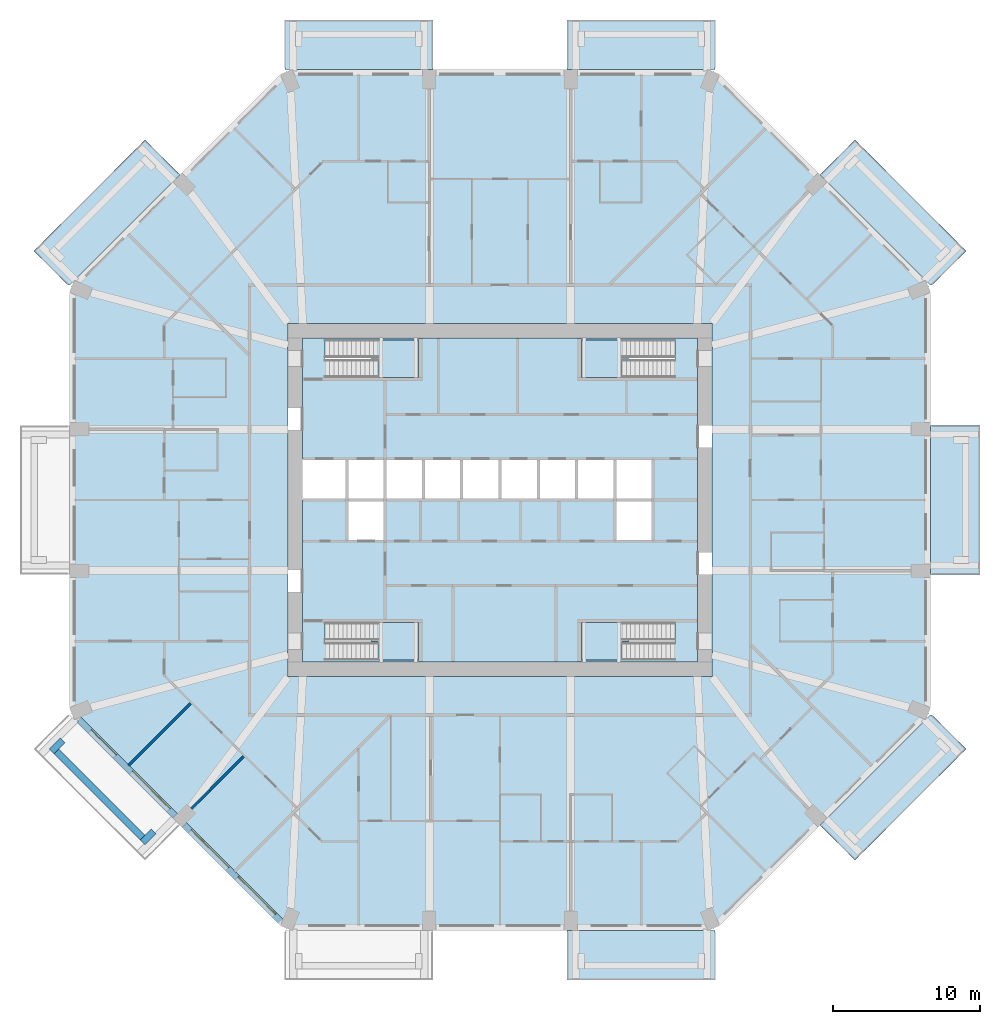
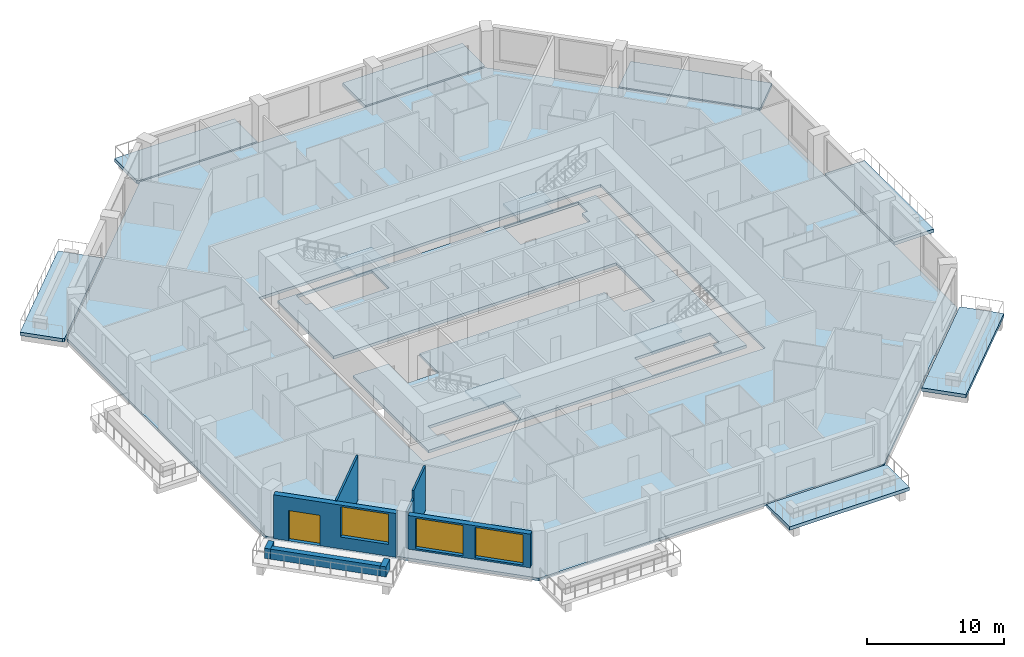
# One storey, part 2 of 13: 13 slabs, 8 walls, 3 windows, 1 door, 4 openings, 4 elements without a shape of their own.
"""IFC4 building model written with IfcOpenShell, lengths in metres."""

from ifc_helpers import new_model, si_unit, direction, frame, frame_2d, origin, place, context, subcontext, project, spatial, polyline, rectangle, outline, extrude, material, layer, layer_set, type_object, element, fill, aggregate, save


model = new_model("IFC4")

# Units and contexts
model_context = context("Model", 3, precision=1e-05, world=origin(), true_north=direction((0.0, 1.0)))
body_context = subcontext(model_context, "Body", "Model", "MODEL_VIEW")
ifc_project = project(units=[si_unit("LENGTHUNIT", "METRE"), si_unit("AREAUNIT", "SQUARE_METRE"), si_unit("VOLUMEUNIT", "CUBIC_METRE"), si_unit("PLANEANGLEUNIT", "RADIAN"), si_unit("MASSUNIT", "GRAM", prefix="KILO")], contexts=[model_context])

# Site, building, storey
site_placement = place(None, origin())
site = spatial("IfcSite", under=ifc_project, at=site_placement, CompositionType="ELEMENT")
building_placement = place(site_placement, origin())
building = spatial("IfcBuilding", under=site, at=building_placement, Name="Msitu Wima Residences", CompositionType="ELEMENT")
storey_placement = place(building_placement, frame((0.0, 0.0, 75.89990234375)))
storey = spatial("IfcBuildingStorey", under=building, at=storey_placement, Name="L17", CompositionType="ELEMENT", Elevation=75.89990234375)

# Slabs
ifc_material_1 = material(Name="Concrete C40/50", Category="concrete")
ifc_layer_1 = layer(ifc_material_1, 0.300048828125)
ifc_layer_set_1 = layer_set([ifc_layer_1], Name="Concrete C40/50")
slab_type_1 = type_object("IfcSlabType", Name="Balcony slab BS300", PredefinedType="FLOOR", material=ifc_layer_set_1)
slab_1_placement = place(storey_placement, frame((0.0, 0.0, -0.2998046875)))
element("IfcSlab", 1, at=slab_1_placement, inside=storey, type_object=slab_type_1, Name="Balcony E1 L17", PredefinedType="FLOOR", context=body_context, shape_type="SweptSolid", body=[
    extrude(outline(polyline([(29.25, -4.35009765625), (29.25, 4.35009765625), (29.25, 5.050048828125), (32.60009765625, 5.050048828125), (32.60009765625, -5.050048828125), (29.25, -5.050048828125), (29.25, -4.35009765625)])), origin(), (0.0, 0.0, 1.0), 0.2998046875),
])
slab_2_placement = place(storey_placement, frame((0.0, 0.0, -0.2998046875)))
element("IfcSlab", 2, at=slab_2_placement, inside=storey, type_object=slab_type_1, Name="Balcony NE0 L17", PredefinedType="FLOOR", context=body_context, shape_type="SweptSolid", body=[
    extrude(outline(polyline([(24.1103515625, 24.4638671875), (31.663818359375, 16.91015625), (29.403564453125, 14.64990234375), (29.25, 14.58642578125), (21.741455078125, 22.094970703125), (24.1103515625, 24.4638671875)])), origin(), (0.0, 0.0, 1.0), 0.2998046875),
])
slab_3_placement = place(storey_placement, frame((0.0, 0.0, -0.2998046875)))
element("IfcSlab", 3, at=slab_3_placement, inside=storey, type_object=slab_type_1, Name="Balcony N0 L17", PredefinedType="FLOOR", context=body_context, shape_type="SweptSolid", body=[
    extrude(outline(polyline([(14.099365234375, 29.25), (14.099365234375, 29.25), (5.25, 29.25), (4.550048828125, 29.25), (4.550048828125, 32.60009765625), (14.64990234375, 32.60009765625), (14.64990234375, 29.403564453125), (14.58642578125, 29.25), (14.099365234375, 29.25), (14.099365234375, 29.25)])), origin(), (0.0, 0.0, 1.0), 0.2998046875),
])
slab_4_placement = place(storey_placement, frame((0.0, 0.0, -0.2998046875)))
element("IfcSlab", 4, at=slab_4_placement, inside=storey, type_object=slab_type_1, Name="Balcony N2 L17", PredefinedType="FLOOR", context=body_context, shape_type="SweptSolid", body=[
    extrude(outline(polyline([(-14.099365234375, 29.25), (-14.099365234375, 29.25), (-14.099365234375, 29.25), (-14.58642578125, 29.25), (-14.64990234375, 29.403564453125), (-14.64990234375, 32.60009765625), (-4.550048828125, 32.60009765625), (-4.550048828125, 29.25), (-5.25, 29.25), (-14.099365234375, 29.25)])), origin(), (0.0, 0.0, 1.0), 0.2998046875),
])
slab_5_placement = place(storey_placement, frame((0.0, 0.0, -0.2998046875)))
element("IfcSlab", 5, at=slab_5_placement, inside=storey, type_object=slab_type_1, Name="Balcony NW1 L17", PredefinedType="FLOOR", context=body_context, shape_type="SweptSolid", body=[
    extrude(outline(polyline([(-31.663818359375, 16.91015625), (-24.1103515625, 24.4638671875), (-21.741455078125, 22.094970703125), (-29.25, 14.58642578125), (-29.403564453125, 14.64990234375), (-31.663818359375, 16.91015625)])), origin(), (0.0, 0.0, 1.0), 0.2998046875),
])
slab_6_placement = place(storey_placement, frame((0.0, 0.0, -0.2998046875)))
element("IfcSlab", 6, at=slab_6_placement, inside=storey, type_object=slab_type_1, Name="Balcony S2 L17", PredefinedType="FLOOR", context=body_context, shape_type="SweptSolid", body=[
    extrude(outline(polyline([(14.099365234375, -29.25), (14.099365234375, -29.25), (14.099365234375, -29.25), (14.58642578125, -29.25), (14.64990234375, -29.403564453125), (14.64990234375, -32.60009765625), (4.550048828125, -32.60009765625), (4.550048828125, -29.25), (5.25, -29.25), (14.099365234375, -29.25)])), origin(), (0.0, 0.0, 1.0), 0.2998046875),
])
slab_7_placement = place(storey_placement, frame((0.0, 0.0, -0.2998046875)))
element("IfcSlab", 7, at=slab_7_placement, inside=storey, type_object=slab_type_1, Name="Balcony SE1 L17", PredefinedType="FLOOR", context=body_context, shape_type="SweptSolid", body=[
    extrude(outline(polyline([(31.663818359375, -16.91015625), (24.1103515625, -24.4638671875), (21.741455078125, -22.094970703125), (29.25, -14.58642578125), (29.403564453125, -14.64990234375), (31.663818359375, -16.91015625)])), origin(), (0.0, 0.0, 1.0), 0.2998046875),
])
ifc_layer_2 = layer(ifc_material_1, 0.25)
ifc_layer_set_2 = layer_set([ifc_layer_2], Name="Concrete C40/50")
slab_type_2 = type_object("IfcSlabType", Name="Core floor CF250", PredefinedType="FLOOR", material=ifc_layer_set_2)
slab_8_placement = place(storey_placement, frame((0.0, 0.0, -0.25)))
element("IfcSlab", 8, at=slab_8_placement, inside=storey, type_object=slab_type_2, Name="Core floor", PredefinedType="FLOOR", context=body_context, shape_type="SweptSolid", body=[
    extrude(outline(polyline([(-13.39990234375, 11.0), (-13.39990234375, 2.800048828125), (-10.39990234375, 2.800048828125), (-7.800048828125, 2.800048828125), (-5.199951171875, 2.800048828125), (-2.60009765625, 2.800048828125), (0.0, 2.800048828125), (2.60009765625, 2.800048828125), (5.199951171875, 2.800048828125), (7.800048828125, 2.800048828125), (10.39990234375, 2.800048828125), (10.39990234375, 0.0), (10.39990234375, -2.800048828125), (7.800048828125, -2.800048828125), (7.800048828125, 0.0), (5.199951171875, 0.0), (2.60009765625, 0.0), (0.0, 0.0), (-2.60009765625, 0.0), (-5.199951171875, 0.0), (-7.800048828125, 0.0), (-7.800048828125, -2.800048828125), (-10.39990234375, -2.800048828125), (-10.39990234375, 0.0), (-13.39990234375, 0.0), (-13.39990234375, -11.0), (13.39990234375, -11.0), (13.39990234375, 11.0), (-13.39990234375, 11.0)]), holes=[polyline([(-11.375, -10.875), (-11.375, -9.675048828125), (-11.87451171875, -9.675048828125), (-11.87451171875, -8.324951171875), (-5.52490234375, -8.324951171875), (-5.52490234375, -10.875), (-11.375, -10.875)]), polyline([(-11.375, 9.52490234375), (-11.87451171875, 9.52490234375), (-11.87451171875, 10.875), (-5.52490234375, 10.875), (-5.52490234375, 8.324951171875), (-11.375, 8.324951171875), (-11.375, 9.52490234375)]), polyline([(11.375, -9.675048828125), (11.375, -10.875), (5.52490234375, -10.875), (5.52490234375, -8.324951171875), (11.87451171875, -8.324951171875), (11.87451171875, -9.675048828125), (11.375, -9.675048828125)]), polyline([(11.375, 9.52490234375), (11.375, 8.324951171875), (5.52490234375, 8.324951171875), (5.52490234375, 10.875), (11.87451171875, 10.875), (11.87451171875, 9.52490234375), (11.375, 9.52490234375)])]), origin(), (0.0, 0.0, 1.0), 0.25),
])
ifc_layer_3 = layer(ifc_material_1, 0.25)
ifc_layer_set_3 = layer_set([ifc_layer_3], Name="Concrete C40/50")
slab_type_3 = type_object("IfcSlabType", Name="PT flat slab 250 Concrete C40/50", PredefinedType="FLOOR", material=ifc_layer_set_3)
slab_9_placement = place(storey_placement, frame((0.0, 0.0, -0.25)))
element("IfcSlab", 9, at=slab_9_placement, inside=storey, type_object=slab_type_3, Name="Floor slab L17", PredefinedType="FLOOR", context=body_context, shape_type="SweptSolid", body=[
    extrude(outline(polyline([(29.10009765625, -14.524169921875), (14.524169921875, -29.10009765625), (-14.524169921875, -29.10009765625), (-29.10009765625, -14.524169921875), (-29.10009765625, 14.524169921875), (-14.524169921875, 29.10009765625), (14.524169921875, 29.10009765625), (29.10009765625, 14.524169921875), (29.10009765625, -14.524169921875)]), holes=[polyline([(-14.39990234375, -12.0), (14.39990234375, -12.0), (14.39990234375, 12.0), (-14.39990234375, 12.0), (-14.39990234375, -12.0)])]), origin(), (0.0, 0.0, 1.0), 0.25),
])

# Stair, slab
stair_type = type_object("IfcStairType", Name="Exit stair ES1615-120", PredefinedType="HALF_TURN_STAIR", material=ifc_material_1)
stair_1_placement = place(storey_placement, origin())
stair_1 = element("IfcStair", 10, at=stair_1_placement, inside=storey, type_object=stair_type, Name="Exit stair 1", PredefinedType="HALF_TURN_STAIR")
ifc_layer_4 = layer(ifc_material_1, 0.199951171875)
ifc_layer_set_4 = layer_set([ifc_layer_4], Name="Concrete C40/50")
slab_type_4 = type_object("IfcSlabType", Name="Stair landing SL200", PredefinedType="LANDING", material=ifc_layer_set_4)
slab_10_placement = place(storey_placement, frame((0.0, 0.0, 1.900146484375)))
slab_10 = element("IfcSlab", 11, at=slab_10_placement, type_object=slab_type_4, Name="S1 landing 1", PredefinedType="LANDING", context=body_context, shape_type="SweptSolid", body=[
    extrude(outline(polyline([(-5.52490234375, 8.324951171875), (-8.275390625, 8.324951171875), (-8.275390625, 9.60009765625), (-8.77490234375, 9.60009765625), (-8.77490234375, 10.875), (-5.52490234375, 10.875), (-5.52490234375, 8.324951171875)])), origin(), (0.0, 0.0, 1.0), 0.199951171875),
])
aggregate(stair_1, [slab_10])

stair_2_placement = place(storey_placement, origin())
stair_2 = element("IfcStair", 12, at=stair_2_placement, inside=storey, type_object=stair_type, Name="Exit stair 2", PredefinedType="HALF_TURN_STAIR")
slab_11_placement = place(storey_placement, frame((0.0, 0.0, 1.900146484375)))
slab_11 = element("IfcSlab", 13, at=slab_11_placement, type_object=slab_type_4, Name="S2 landing 1", PredefinedType="LANDING", context=body_context, shape_type="SweptSolid", body=[
    extrude(outline(polyline([(-5.52490234375, -10.875), (-8.275390625, -10.875), (-8.275390625, -9.60009765625), (-8.77490234375, -9.60009765625), (-8.77490234375, -8.324951171875), (-5.52490234375, -8.324951171875), (-5.52490234375, -10.875)])), origin(), (0.0, 0.0, 1.0), 0.199951171875),
])
aggregate(stair_2, [slab_11])

stair_3_placement = place(storey_placement, origin())
stair_3 = element("IfcStair", 14, at=stair_3_placement, inside=storey, type_object=stair_type, Name="Exit stair 3", PredefinedType="HALF_TURN_STAIR")
slab_12_placement = place(storey_placement, frame((0.0, 0.0, 1.900146484375)))
slab_12 = element("IfcSlab", 15, at=slab_12_placement, type_object=slab_type_4, Name="S3 landing 1", PredefinedType="LANDING", context=body_context, shape_type="SweptSolid", body=[
    extrude(outline(polyline([(5.52490234375, 8.324951171875), (8.275390625, 8.324951171875), (8.275390625, 9.60009765625), (8.77490234375, 9.60009765625), (8.77490234375, 10.875), (5.52490234375, 10.875), (5.52490234375, 8.324951171875)])), origin(), (0.0, 0.0, 1.0), 0.199951171875),
])
aggregate(stair_3, [slab_12])

stair_4_placement = place(storey_placement, origin())
stair_4 = element("IfcStair", 16, at=stair_4_placement, inside=storey, type_object=stair_type, Name="Exit stair 4", PredefinedType="HALF_TURN_STAIR")
slab_13_placement = place(storey_placement, frame((0.0, 0.0, 1.900146484375)))
slab_13 = element("IfcSlab", 17, at=slab_13_placement, type_object=slab_type_4, Name="S4 landing 1", PredefinedType="LANDING", context=body_context, shape_type="SweptSolid", body=[
    extrude(outline(polyline([(5.52490234375, -10.875), (8.275390625, -10.875), (8.275390625, -9.60009765625), (8.77490234375, -9.60009765625), (8.77490234375, -8.324951171875), (5.52490234375, -8.324951171875), (5.52490234375, -10.875)])), origin(), (0.0, 0.0, 1.0), 0.199951171875),
])
aggregate(stair_4, [slab_13])

# Walls
ifc_material_2 = material(Name="Facing brick")
ifc_layer_5 = layer(ifc_material_2, 0.06494140625, Name="Facing brick")
ifc_layer_6 = layer(ifc_material_1, 0.156005859375, Name="Concrete C40/50")
ifc_material_3 = material(Name="Waterproofing membrane")
ifc_layer_7 = layer(ifc_material_3, 0.00390625, Name="Waterproofing membrane")
ifc_material_4 = material(Name="Planting soil and planting")
ifc_layer_8 = layer(ifc_material_4, 0.22509765625, Name="Planting soil and planting")
ifc_layer_set_5 = layer_set([ifc_layer_5, ifc_layer_6, ifc_layer_7, ifc_layer_8], Name="Concrete C40/50")
wall_type_1 = type_object("IfcWallType", Name="Balcony planter PLANTER PL450", PredefinedType="USERDEFINED", material=ifc_layer_set_5)
wall_1_placement = place(storey_placement, frame((-30.125732421875, -17.0693359375, 0.0), z_axis=(0.0, 0.0, 1.0), x_axis=(0.707106781187, -0.707106781187, 0.0)))
element("IfcWall", 18, at=wall_1_placement, inside=storey, type_object=wall_type_1, Name="Balcony planter SW0 L17", ObjectType="PLANTER", PredefinedType="USERDEFINED", context=body_context, shape_type="SweptSolid", body=[
    extrude(rectangle(XDim=8.2822265625, YDim=0.449951171875, at=frame_2d((4.14111328125, 0.0))), origin(), (0.0, 0.0, 1.0), 0.900146484375),
])
for number, where, z_axis, x_axis, name in (
    (19, (-29.70166015625, -16.326904296875, 0.0), (0.0, 0.0, 1.0), (-0.707106781187, -0.707106781187, 0.0), "Balcony planter SW0 L17"),
    (20, (-23.52685546875, -22.50146484375, 0.0), (0.0, 0.0, 1.0), (-0.706990528533, -0.707223014731, 0.0), "Balcony planter SW0 L17"),
):
    element("IfcWall", number, at=place(storey_placement, frame(where, z_axis=z_axis, x_axis=x_axis)), inside=storey, type_object=wall_type_1, Name=name, ObjectType="PLANTER", PredefinedType="USERDEFINED", context=body_context, shape_type="SweptSolid", body=[
        extrude(rectangle(XDim=1.050048828125, YDim=0.449951171875, at=frame_2d((0.52490234375, 0.0))), origin(), (0.0, 0.0, 1.0), 0.900146484375),
    ])

# Wall, openings, door, window
ifc_material_5 = material(Name="Brick (red buff mix)", Category="masonry")
ifc_layer_9 = layer(ifc_material_5, 0.449951171875)
ifc_layer_set_6 = layer_set([ifc_layer_9], Name="Brick (red buff mix)")
wall_type_2 = type_object("IfcWallType", Name="Brick infill wall BW450", PredefinedType="SOLIDWALL", material=ifc_layer_set_6)
wall_2_placement = place(storey_placement, frame((-28.61474609375, -14.903564453125, 0.0), z_axis=(0.0, 0.0, 1.0), x_axis=(0.707106781187, -0.707106781187, 0.0)))
wall_2 = element("IfcWall", 21, at=wall_2_placement, inside=storey, type_object=wall_type_2, Name="Brick infill wall L17 SW0", PredefinedType="SOLIDWALL", context=body_context, shape_type="SweptSolid", body=[
    extrude(rectangle(XDim=9.2451171875, YDim=0.449951171875, at=frame_2d((4.62255859375, 0.0))), origin(), (0.0, 0.0, 1.0), 3.900146484375),
])
opening_1_placement = place(wall_2_placement, frame((1.111328125, 0.0, 0.0)))
opening_1 = element("IfcOpeningElement", 22, at=opening_1_placement, cuts=wall_2, Name="Opening D16-17.009", PredefinedType="OPENING", context=body_context, shape_type="SweptSolid", body=[
    extrude(rectangle(XDim=2.39990234375, YDim=2.699951171875, at=frame_2d((1.199951171875, 1.35009765625))), frame((0.0, 0.23486328125, 0.0), z_axis=(0.0, -1.0, 0.0), x_axis=(1.0, 0.0, 0.0)), (0.0, 0.0, 1.0), 0.469970703125),
])
opening_2_placement = place(wall_2_placement, frame((5.072509765625, 0.0, 1.050048828125)))
opening_2 = element("IfcOpeningElement", 23, at=opening_2_placement, cuts=wall_2, Name="Opening W16-17.023", PredefinedType="OPENING", context=body_context, shape_type="SweptSolid", body=[
    extrude(rectangle(XDim=3.60009765625, YDim=2.699951171875, at=frame_2d((1.800048828125, 1.35009765625))), frame((0.0, 0.23486328125, 0.0), z_axis=(0.0, -1.0, 0.0), x_axis=(1.0, 0.0, 0.0)), (0.0, 0.0, 1.0), 0.469970703125),
])
ifc_material_6 = material(Name="Anodised aluminium, bronze finish, clear low-emissivity double glazing", Category="aluminium")
door_type = type_object("IfcDoorType", Name="Balcony door D2400x2700", OperationType="SLIDING_TO_LEFT", PredefinedType="DOOR", material=ifc_material_6)
door_placement = place(opening_1_placement, origin())
door = element("IfcDoor", 24, at=door_placement, inside=storey, type_object=door_type, Name="Balcony door L17 SW0", OperationType="SINGLE_SWING_LEFT", OverallHeight=2.699951171875, OverallWidth=2.39990234375, PredefinedType="DOOR", context=body_context, shape_type="SweptSolid", body=[
    extrude(rectangle(XDim=2.39990234375, YDim=2.699951171875, at=frame_2d((1.199951171875, 1.35009765625))), frame((0.0, 0.1298828125, 0.0), z_axis=(0.0, -1.0, 0.0), x_axis=(1.0, 0.0, 0.0)), (0.0, 0.0, 1.0), 0.050048828125),
])
fill(opening_1, door)
window_type = type_object("IfcWindowType", Name="Window W3600x2700", PartitioningType="DOUBLE_PANEL_VERTICAL", PredefinedType="WINDOW", material=ifc_material_6)
window_1_placement = place(opening_2_placement, origin())
window_1 = element("IfcWindow", 25, at=window_1_placement, inside=storey, type_object=window_type, Name="Window L17 SW0.2", OverallHeight=2.699951171875, OverallWidth=3.60009765625, PartitioningType="SINGLE_PANEL", PredefinedType="WINDOW", context=body_context, shape_type="SweptSolid", body=[
    extrude(rectangle(XDim=3.60009765625, YDim=2.699951171875, at=frame_2d((1.800048828125, 1.35009765625))), frame((0.0, 0.135009765625, 0.0), z_axis=(0.0, -1.0, 0.0), x_axis=(1.0, 0.0, 0.0)), (0.0, 0.0, 1.0), 0.06005859375),
])
fill(opening_2, window_1)

# Wall, openings, windows
wall_3_placement = place(storey_placement, frame((-21.44091796875, -22.077392578125, 0.900146484375), z_axis=(0.0, 0.0, 1.0), x_axis=(0.707106781187, -0.707106781187, 0.0)))
wall_3 = element("IfcWall", 26, at=wall_3_placement, inside=storey, type_object=wall_type_2, Name="Brick infill wall L17 SW1", PredefinedType="SOLIDWALL", context=body_context, shape_type="SweptSolid", body=[
    extrude(rectangle(XDim=9.2451171875, YDim=0.449951171875, at=frame_2d((4.62255859375, 0.0))), origin(), (0.0, 0.0, 1.0), 3.0),
])
opening_3_placement = place(wall_3_placement, frame((0.572509765625, 0.0, 0.14990234375)))
opening_3 = element("IfcOpeningElement", 27, at=opening_3_placement, cuts=wall_3, Name="Opening W16-17.024", PredefinedType="OPENING", context=body_context, shape_type="SweptSolid", body=[
    extrude(rectangle(XDim=3.60009765625, YDim=2.699951171875, at=frame_2d((1.800048828125, 1.35009765625))), frame((0.0, 0.23486328125, 0.0), z_axis=(0.0, -1.0, 0.0), x_axis=(1.0, 0.0, 0.0)), (0.0, 0.0, 1.0), 0.469970703125),
])
opening_4_placement = place(wall_3_placement, frame((5.072509765625, 0.0, 0.14990234375)))
opening_4 = element("IfcOpeningElement", 28, at=opening_4_placement, cuts=wall_3, Name="Opening W16-17.025", PredefinedType="OPENING", context=body_context, shape_type="SweptSolid", body=[
    extrude(rectangle(XDim=3.60009765625, YDim=2.699951171875, at=frame_2d((1.800048828125, 1.35009765625))), frame((0.0, 0.23486328125, 0.0), z_axis=(0.0, -1.0, 0.0), x_axis=(1.0, 0.0, 0.0)), (0.0, 0.0, 1.0), 0.469970703125),
])
window_2_placement = place(opening_3_placement, origin())
window_2 = element("IfcWindow", 29, at=window_2_placement, inside=storey, type_object=window_type, Name="Window L17 SW1.1", OverallHeight=2.699951171875, OverallWidth=3.60009765625, PartitioningType="SINGLE_PANEL", PredefinedType="WINDOW", context=body_context, shape_type="SweptSolid", body=[
    extrude(rectangle(XDim=3.60009765625, YDim=2.699951171875, at=frame_2d((1.800048828125, 1.35009765625))), frame((0.0, 0.135009765625, 0.0), z_axis=(0.0, -1.0, 0.0), x_axis=(1.0, 0.0, 0.0)), (0.0, 0.0, 1.0), 0.06005859375),
])
fill(opening_3, window_2)
window_3_placement = place(opening_4_placement, origin())
window_3 = element("IfcWindow", 30, at=window_3_placement, inside=storey, type_object=window_type, Name="Window L17 SW1.2", OverallHeight=2.699951171875, OverallWidth=3.60009765625, PartitioningType="SINGLE_PANEL", PredefinedType="WINDOW", context=body_context, shape_type="SweptSolid", body=[
    extrude(rectangle(XDim=3.60009765625, YDim=2.699951171875, at=frame_2d((1.800048828125, 1.35009765625))), frame((0.0, 0.135009765625, 0.0), z_axis=(0.0, -1.0, 0.0), x_axis=(1.0, 0.0, 0.0)), (0.0, 0.0, 1.0), 0.06005859375),
])
fill(opening_4, window_3)

# Walls
ifc_material_7 = material(Name="Plaster")
ifc_layer_10 = layer(ifc_material_7, 0.011962890625, Name="Plaster")
ifc_material_8 = material(Name="Concrete blockwork", Category="masonry")
ifc_layer_11 = layer(ifc_material_8, 0.1259765625, Name="Concrete blockwork")
ifc_layer_12 = layer(ifc_material_7, 0.011962890625, Name="Plaster")
ifc_layer_set_7 = layer_set([ifc_layer_10, ifc_layer_11, ifc_layer_12], Name="Concrete blockwork")
wall_type_3 = type_object("IfcWallType", Name="Partition PW150", PredefinedType="PARTITIONING", material=ifc_layer_set_7)
wall_4_placement = place(storey_placement, frame((-25.23876953125, -18.038818359375, 0.0), z_axis=(0.0, 0.0, 1.0), x_axis=(0.707086367289, 0.707127194494, 0.0)))
element("IfcWall", 31, at=wall_4_placement, inside=storey, type_object=wall_type_3, Name="Partition", PredefinedType="PARTITIONING", context=body_context, shape_type="SweptSolid", body=[
    extrude(rectangle(XDim=5.979736328125, YDim=0.14990234375, at=frame_2d((2.98974609375, 0.0))), origin(), (0.0, 0.0, 1.0), 3.9501953125),
])
wall_5_placement = place(storey_placement, frame((-20.963623046875, -20.963623046875, 0.0), z_axis=(0.0, 0.0, 1.0), x_axis=(0.707106781187, 0.707106781187, 0.0)))
element("IfcWall", 32, at=wall_5_placement, inside=storey, type_object=wall_type_3, Name="Partition", PredefinedType="PARTITIONING", context=body_context, shape_type="SweptSolid", body=[
    extrude(rectangle(XDim=1.74853515625, YDim=0.14990234375, at=frame_2d((0.874267578125, 0.0))), origin(), (0.0, 0.0, 1.0), 3.25),
])
wall_6_placement = place(storey_placement, frame((-19.727294921875, -19.727294921875, 0.0), z_axis=(0.0, 0.0, 1.0), x_axis=(0.707106781187, 0.707106781187, 0.0)))
element("IfcWall", 33, at=wall_6_placement, inside=storey, type_object=wall_type_3, Name="Partition", PredefinedType="PARTITIONING", context=body_context, shape_type="SweptSolid", body=[
    extrude(rectangle(XDim=3.276611328125, YDim=0.14990234375, at=frame_2d((1.63818359375, 0.0))), origin(), (0.0, 0.0, 1.0), 3.9501953125),
])

save(model, "model.ifc")
